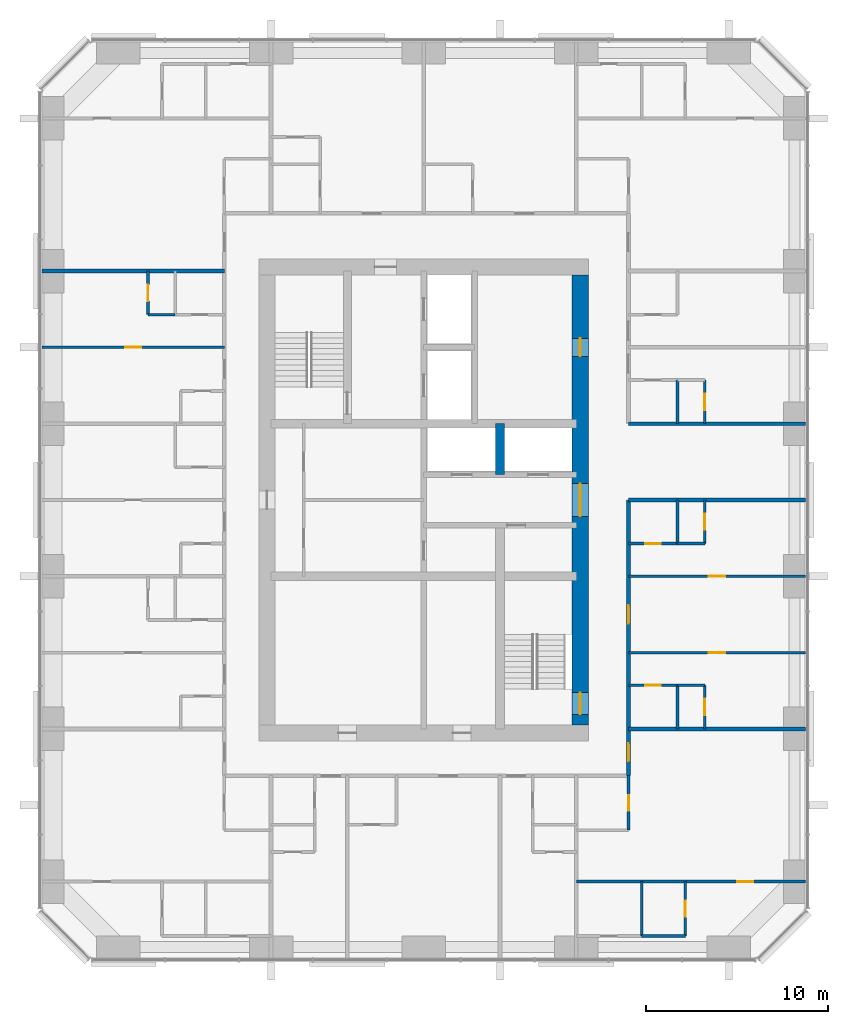
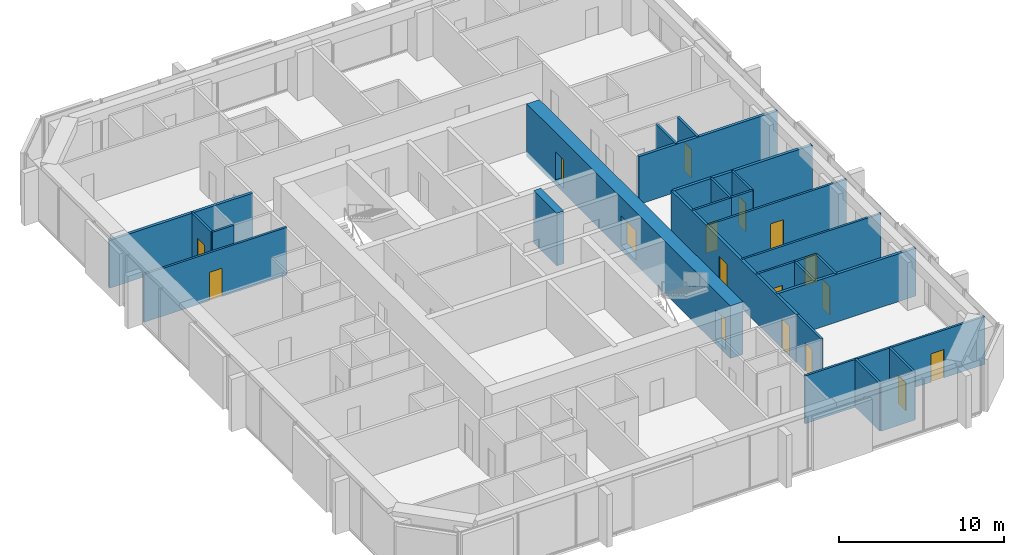
# One storey, part 9 of 12: 27 walls, 17 doors, 17 openings.
"""IFC4 building model written with IfcOpenShell, lengths in metres."""

from ifc_helpers import new_model, si_unit, direction, frame, frame_2d, origin, place, context, subcontext, project, spatial, rectangle, extrude, material, layer, layer_set, type_object, element, fill, save


model = new_model("IFC4")

# Units and contexts
model_context = context("Model", 3, precision=1e-05, world=origin(), true_north=direction((0.0, 1.0)))
body_context = subcontext(model_context, "Body", "Model", "MODEL_VIEW")
ifc_project = project(units=[si_unit("LENGTHUNIT", "METRE"), si_unit("AREAUNIT", "SQUARE_METRE"), si_unit("VOLUMEUNIT", "CUBIC_METRE"), si_unit("PLANEANGLEUNIT", "RADIAN"), si_unit("MASSUNIT", "GRAM", prefix="KILO")], contexts=[model_context])

# Site, building, storey
site_placement = place(None, origin())
site = spatial("IfcSite", under=ifc_project, at=site_placement, CompositionType="ELEMENT")
building_placement = place(site_placement, origin())
building = spatial("IfcBuilding", under=site, at=building_placement, Name="Dunama Terrace Hotel", CompositionType="ELEMENT")
storey_placement = place(building_placement, frame((0.0, 0.0, 233.39990234375)))
storey = spatial("IfcBuildingStorey", under=building, at=storey_placement, Name="L60", CompositionType="ELEMENT", Elevation=233.39990234375)

# Wall, opening, door
ifc_material_1 = material(Name="Gypsum board partition", Category="masonry")
ifc_layer_1 = layer(ifc_material_1, 0.14990234375)
ifc_layer_set_1 = layer_set([ifc_layer_1], Name="Bathroom partition 150")
wall_type_1 = type_object("IfcWallType", Name="Bathroom partition 150", PredefinedType="PARTITIONING", material=ifc_layer_set_1)
wall_1_placement = place(storey_placement, frame((44.875, 11.22509765625, 0.0), z_axis=(0.0, 0.0, 1.0), x_axis=(0.0, 1.0, 0.0)))
wall_1 = element("IfcWall", 1, at=wall_1_placement, inside=storey, type_object=wall_type_1, Name="Bathroom partition 150 L60", PredefinedType="PARTITIONING", context=body_context, shape_type="SweptSolid", body=[
    extrude(rectangle(XDim=3.0, YDim=0.14990234375, at=frame_2d((1.5, 0.0))), origin(), (0.0, 0.0, 1.0), 3.550048828125),
])
opening_1_placement = place(wall_1_placement, frame((1.074951171875, 0.0, 0.0)))
opening_1 = element("IfcOpeningElement", 2, at=opening_1_placement, cuts=wall_1, Name="Opening L60-052", PredefinedType="OPENING", context=body_context, shape_type="SweptSolid", body=[
    extrude(rectangle(XDim=0.85009765625, YDim=2.10009765625, at=frame_2d((0.425048828125, 1.050048828125))), frame((0.0, 0.0849609375, 0.0), z_axis=(0.0, -1.0, 0.0), x_axis=(1.0, 0.0, 0.0)), (0.0, 0.0, 1.0), 0.169921875),
])
ifc_material_2 = material(Name="Timber door with steel frame", Category="steel")
door_type_1 = type_object("IfcDoorType", Name="Bathroom door 850", OperationType="SINGLE_SWING_LEFT", PredefinedType="DOOR", material=ifc_material_2)
door_1_placement = place(opening_1_placement, origin())
door_1 = element("IfcDoor", 3, at=door_1_placement, inside=storey, type_object=door_type_1, Name="Door to powder room L60-052, type D2", OperationType="SINGLE_SWING_RIGHT", OverallHeight=2.10009765625, OverallWidth=0.85009765625, PredefinedType="DOOR", context=body_context, shape_type="SweptSolid", body=[
    extrude(rectangle(XDim=0.85009765625, YDim=2.10009765625, at=frame_2d((0.425048828125, 1.050048828125))), frame((0.0, 0.02490234375, 0.0), z_axis=(0.0, -1.0, 0.0), x_axis=(1.0, 0.0, 0.0)), (0.0, 0.0, 1.0), 0.050048828125),
])
fill(opening_1, door_1)

wall_2_placement = place(storey_placement, frame((44.875, 19.199951171875, 0.0), z_axis=(0.0, 0.0, 1.0), x_axis=(1.0, 0.0, 0.0)))
wall_2 = element("IfcWall", 4, at=wall_2_placement, inside=storey, type_object=wall_type_1, Name="Bathroom partition 150 L60", PredefinedType="PARTITIONING", context=body_context, shape_type="SweptSolid", body=[
    extrude(rectangle(XDim=2.699951171875, YDim=0.14990234375, at=frame_2d((1.35009765625, 0.0))), origin(), (0.0, 0.0, 1.0), 3.550048828125),
])
opening_2_placement = place(wall_2_placement, frame((0.925048828125, 0.0, 0.0)))
opening_2 = element("IfcOpeningElement", 5, at=opening_2_placement, cuts=wall_2, Name="Opening L60-017", PredefinedType="OPENING", context=body_context, shape_type="SweptSolid", body=[
    extrude(rectangle(XDim=0.85009765625, YDim=2.10009765625, at=frame_2d((0.425048828125, 1.050048828125))), frame((0.0, 0.0849609375, 0.0), z_axis=(0.0, -1.0, 0.0), x_axis=(1.0, 0.0, 0.0)), (0.0, 0.0, 1.0), 0.169921875),
])
door_2_placement = place(opening_2_placement, frame((0.85009765625, 0.0, 0.0), z_axis=(0.0, 0.0, 1.0), x_axis=(-1.0, 0.0, 0.0)))
door_2 = element("IfcDoor", 6, at=door_2_placement, inside=storey, type_object=door_type_1, Name="Door to en-suite bathroom L60-017, type D2", OperationType="SINGLE_SWING_RIGHT", OverallHeight=2.10009765625, OverallWidth=0.85009765625, PredefinedType="DOOR", context=body_context, shape_type="SweptSolid", body=[
    extrude(rectangle(XDim=0.85009765625, YDim=2.10009765625, at=frame_2d((0.425048828125, 1.050048828125))), frame((0.0, 0.025146484375, 0.0), z_axis=(0.0, -1.0, 0.0), x_axis=(1.0, 0.0, 0.0)), (0.0, 0.0, 1.0), 0.050048828125),
])
fill(opening_2, door_2)

wall_3_placement = place(storey_placement, frame((44.875, 27.0, 0.0), z_axis=(0.0, 0.0, 1.0), x_axis=(1.0, 0.0, 0.0)))
wall_3 = element("IfcWall", 7, at=wall_3_placement, inside=storey, type_object=wall_type_1, Name="Bathroom partition 150 L60", PredefinedType="PARTITIONING", context=body_context, shape_type="SweptSolid", body=[
    extrude(rectangle(XDim=2.699951171875, YDim=0.14990234375, at=frame_2d((1.35009765625, 0.0))), origin(), (0.0, 0.0, 1.0), 3.550048828125),
])
opening_3_placement = place(wall_3_placement, frame((0.925048828125, 0.0, 0.0)))
opening_3 = element("IfcOpeningElement", 8, at=opening_3_placement, cuts=wall_3, Name="Opening L60-020", PredefinedType="OPENING", context=body_context, shape_type="SweptSolid", body=[
    extrude(rectangle(XDim=0.85009765625, YDim=2.10009765625, at=frame_2d((0.425048828125, 1.050048828125))), frame((0.0, 0.0849609375, 0.0), z_axis=(0.0, -1.0, 0.0), x_axis=(1.0, 0.0, 0.0)), (0.0, 0.0, 1.0), 0.169921875),
])
door_3_placement = place(opening_3_placement, origin())
door_3 = element("IfcDoor", 9, at=door_3_placement, inside=storey, type_object=door_type_1, Name="Door to en-suite bathroom L60-020, type D2", OperationType="SINGLE_SWING_LEFT", OverallHeight=2.10009765625, OverallWidth=0.85009765625, PredefinedType="DOOR", context=body_context, shape_type="SweptSolid", body=[
    extrude(rectangle(XDim=0.85009765625, YDim=2.10009765625, at=frame_2d((0.425048828125, 1.050048828125))), frame((0.0, 0.02490234375, 0.0), z_axis=(0.0, -1.0, 0.0), x_axis=(1.0, 0.0, 0.0)), (0.0, 0.0, 1.0), 0.050048828125),
])
fill(opening_3, door_3)

# Wall
ifc_material_3 = material(Name="Concrete C50/60", Category="concrete")
ifc_layer_2 = layer(ifc_material_3, 0.5)
ifc_layer_set_2 = layer_set([ifc_layer_2], Name="Core inner wall 500")
wall_type_2 = type_object("IfcWallType", Name="Core inner wall 500", PredefinedType="SHEAR", material=ifc_layer_set_2)
wall_4_placement = place(storey_placement, frame((37.800048828125, 30.800048828125, -0.349853515625), z_axis=(0.0, 0.0, 1.0), x_axis=(0.0, 1.0, 0.0)))
element("IfcWall", 10, at=wall_4_placement, inside=storey, type_object=wall_type_2, Name="Core inner wall 500 L60", PredefinedType="SHEAR", context=body_context, shape_type="SweptSolid", body=[
    extrude(rectangle(XDim=2.800048828125, YDim=0.5, at=frame_2d((1.39990234375, 0.0))), origin(), (0.0, 0.0, 1.0), 3.89990234375),
])

# Wall, openings, doors
ifc_material_4 = material(Name="Concrete C60/75", Category="concrete")
ifc_layer_3 = layer(ifc_material_4, 0.89990234375)
ifc_layer_set_3 = layer_set([ifc_layer_3], Name="Core wall 900")
wall_type_3 = type_object("IfcWallType", Name="Core wall 900", PredefinedType="SHEAR", material=ifc_layer_set_3)
wall_5_placement = place(storey_placement, frame((42.22509765625, 17.02490234375, -0.349853515625), z_axis=(0.0, 0.0, 1.0), x_axis=(0.0, 1.0, 0.0)))
wall_5 = element("IfcWall", 11, at=wall_5_placement, inside=storey, type_object=wall_type_3, Name="Core wall east L60", PredefinedType="SHEAR", context=body_context, shape_type="SweptSolid", body=[
    extrude(rectangle(XDim=24.75, YDim=0.89990234375, at=frame_2d((12.375, 0.0))), origin(), (0.0, 0.0, 1.0), 3.89990234375),
])
opening_4_placement = place(wall_5_placement, frame((0.574951171875, 0.0, 0.35009765625)))
opening_4 = element("IfcOpeningElement", 12, at=opening_4_placement, cuts=wall_5, Name="Opening L60-002", PredefinedType="OPENING", context=body_context, shape_type="SweptSolid", body=[
    extrude(rectangle(XDim=1.199951171875, YDim=2.199951171875, at=frame_2d((0.60009765625, 1.10009765625))), frame((0.0, 0.4599609375, 0.0), z_axis=(0.0, -1.0, 0.0), x_axis=(1.0, 0.0, 0.0)), (0.0, 0.0, 1.0), 0.919921875),
])
opening_5_placement = place(wall_5_placement, frame((11.47509765625, 0.0, 0.35009765625)))
opening_5 = element("IfcOpeningElement", 13, at=opening_5_placement, cuts=wall_5, Name="Opening L60-071", PredefinedType="OPENING", context=body_context, shape_type="SweptSolid", body=[
    extrude(rectangle(XDim=1.800048828125, YDim=2.199951171875, at=frame_2d((0.89990234375, 1.10009765625))), frame((0.0, 0.4599609375, 0.0), z_axis=(0.0, -1.0, 0.0), x_axis=(1.0, 0.0, 0.0)), (0.0, 0.0, 1.0), 0.919921875),
])
opening_6_placement = place(wall_5_placement, frame((20.27490234375, 0.0, 0.35009765625)))
opening_6 = element("IfcOpeningElement", 14, at=opening_6_placement, cuts=wall_5, Name="Opening L60-073", PredefinedType="OPENING", context=body_context, shape_type="SweptSolid", body=[
    extrude(rectangle(XDim=1.0, YDim=2.10009765625, at=frame_2d((0.5, 1.050048828125))), frame((0.0, 0.4599609375, 0.0), z_axis=(0.0, -1.0, 0.0), x_axis=(1.0, 0.0, 0.0)), (0.0, 0.0, 1.0), 0.919921875),
])
ifc_material_5 = material(Name="Timber door with steel frame", Category="steel")
door_type_2 = type_object("IfcDoorType", Name="Lift lobby double door 1800", OperationType="DOUBLE_DOOR_DOUBLE_SWING", PredefinedType="DOOR", material=ifc_material_5)
door_4_placement = place(opening_5_placement, origin())
door_4 = element("IfcDoor", 15, at=door_4_placement, inside=storey, type_object=door_type_2, Name="Door to lift lobby L60-071, type D3", OperationType="DOUBLE_DOOR_DOUBLE_SWING", OverallHeight=2.199951171875, OverallWidth=1.800048828125, PredefinedType="DOOR", context=body_context, shape_type="SweptSolid", body=[
    extrude(rectangle(XDim=1.800048828125, YDim=2.199951171875, at=frame_2d((0.89990234375, 1.10009765625))), frame((0.0, 0.02490234375, 0.0), z_axis=(0.0, -1.0, 0.0), x_axis=(1.0, 0.0, 0.0)), (0.0, 0.0, 1.0), 0.050048828125),
])
fill(opening_5, door_4)
ifc_material_6 = material(Name="Timber door with steel frame", Category="steel")
door_type_3 = type_object("IfcDoorType", Name="Service door 1000", OperationType="SINGLE_SWING_LEFT", PredefinedType="DOOR", material=ifc_material_6)
door_5_placement = place(opening_6_placement, origin())
door_5 = element("IfcDoor", 16, at=door_5_placement, inside=storey, type_object=door_type_3, Name="Door to housekeeping store L60-073, type D7", OperationType="SINGLE_SWING_LEFT", OverallHeight=2.10009765625, OverallWidth=1.0, PredefinedType="DOOR", context=body_context, shape_type="SweptSolid", body=[
    extrude(rectangle(XDim=1.0, YDim=2.10009765625, at=frame_2d((0.5, 1.050048828125))), frame((0.0, 0.02490234375, 0.0), z_axis=(0.0, -1.0, 0.0), x_axis=(1.0, 0.0, 0.0)), (0.0, 0.0, 1.0), 0.050048828125),
])
fill(opening_6, door_5)
ifc_material_7 = material(Name="Timber door with steel frame", Category="steel")
door_type_4 = type_object("IfcDoorType", Name="Stair door 1200", OperationType="SINGLE_SWING_LEFT", PredefinedType="DOOR", material=ifc_material_7)
door_6_placement = place(opening_4_placement, origin())
door_6 = element("IfcDoor", 17, at=door_6_placement, inside=storey, type_object=door_type_4, Name="Stair door ST2 L60-002, type D5", OperationType="SINGLE_SWING_LEFT", OverallHeight=2.199951171875, OverallWidth=1.199951171875, PredefinedType="DOOR", context=body_context, shape_type="SweptSolid", body=[
    extrude(rectangle(XDim=1.199951171875, YDim=2.199951171875, at=frame_2d((0.60009765625, 1.10009765625))), frame((0.0, 0.02490234375, 0.0), z_axis=(0.0, -1.0, 0.0), x_axis=(1.0, 0.0, 0.0)), (0.0, 0.0, 1.0), 0.050048828125),
])
fill(opening_4, door_6)

# Wall
ifc_material_8 = material(Name="Concrete blockwork", Category="masonry")
ifc_layer_4 = layer(ifc_material_8, 0.199951171875)
ifc_layer_set_4 = layer_set([ifc_layer_4], Name="Corridor partition 200")
wall_type_4 = type_object("IfcWallType", Name="Corridor partition 200", PredefinedType="PARTITIONING", material=ifc_layer_set_4)
wall_6_placement = place(storey_placement, frame((44.875, 33.60009765625, 0.0), z_axis=(0.0, 0.0, 1.0), x_axis=(1.0, 0.0, 0.0)))
element("IfcWall", 18, at=wall_6_placement, inside=storey, type_object=wall_type_4, Name="Corridor partition 200 L60", PredefinedType="PARTITIONING", context=body_context, shape_type="SweptSolid", body=[
    extrude(rectangle(XDim=9.742919921875, YDim=0.199951171875, at=frame_2d((4.87158203125, 0.0))), origin(), (0.0, 0.0, 1.0), 3.550048828125),
])

# Wall, openings, doors
wall_7_placement = place(storey_placement, frame((44.875, 29.39990234375, 0.0), z_axis=(0.0, 0.0, 1.0), x_axis=(0.0, -1.0, 0.0)))
wall_7 = element("IfcWall", 19, at=wall_7_placement, inside=storey, type_object=wall_type_4, Name="Corridor partition 200 L60", PredefinedType="PARTITIONING", context=body_context, shape_type="SweptSolid", body=[
    extrude(rectangle(XDim=15.1748046875, YDim=0.199951171875, at=frame_2d((7.58740234375, 0.0))), origin(), (0.0, 0.0, 1.0), 3.550048828125),
])
opening_7_placement = place(wall_7_placement, frame((5.800048828125, 0.0, 0.0)))
opening_7 = element("IfcOpeningElement", 20, at=opening_7_placement, cuts=wall_7, Name="Opening L60-015", PredefinedType="OPENING", context=body_context, shape_type="SweptSolid", body=[
    extrude(rectangle(XDim=1.0, YDim=2.199951171875, at=frame_2d((0.5, 1.10009765625))), frame((0.0, 0.10986328125, 0.0), z_axis=(0.0, -1.0, 0.0), x_axis=(1.0, 0.0, 0.0)), (0.0, 0.0, 1.0), 0.219970703125),
])
opening_8_placement = place(wall_7_placement, frame((13.387939453125, 0.0, 0.0)))
opening_8 = element("IfcOpeningElement", 21, at=opening_8_placement, cuts=wall_7, Name="Opening L60-051", PredefinedType="OPENING", context=body_context, shape_type="SweptSolid", body=[
    extrude(rectangle(XDim=1.0, YDim=2.199951171875, at=frame_2d((0.5, 1.10009765625))), frame((0.0, 0.10986328125, 0.0), z_axis=(0.0, -1.0, 0.0), x_axis=(1.0, 0.0, 0.0)), (0.0, 0.0, 1.0), 0.219970703125),
])
ifc_material_9 = material(Name="Timber door with steel frame", Category="steel")
door_type_5 = type_object("IfcDoorType", Name="Guest room door 1000", OperationType="SINGLE_SWING_LEFT", PredefinedType="DOOR", material=ifc_material_9)
door_7_placement = place(opening_7_placement, origin())
door_7 = element("IfcDoor", 22, at=door_7_placement, inside=storey, type_object=door_type_5, Name="Door to two-bedroom suite living room L60-015, type D1", OperationType="SINGLE_SWING_RIGHT", OverallHeight=2.199951171875, OverallWidth=1.0, PredefinedType="DOOR", context=body_context, shape_type="SweptSolid", body=[
    extrude(rectangle(XDim=1.0, YDim=2.199951171875, at=frame_2d((0.5, 1.10009765625))), frame((0.0, 0.02490234375, 0.0), z_axis=(0.0, -1.0, 0.0), x_axis=(1.0, 0.0, 0.0)), (0.0, 0.0, 1.0), 0.050048828125),
])
fill(opening_7, door_7)
door_8_placement = place(opening_8_placement, origin())
door_8 = element("IfcDoor", 23, at=door_8_placement, inside=storey, type_object=door_type_5, Name="Door to grand corner suite living room L60-051, type D1", OperationType="SINGLE_SWING_RIGHT", OverallHeight=2.199951171875, OverallWidth=1.0, PredefinedType="DOOR", context=body_context, shape_type="SweptSolid", body=[
    extrude(rectangle(XDim=1.0, YDim=2.199951171875, at=frame_2d((0.5, 1.10009765625))), frame((0.0, 0.02490234375, 0.0), z_axis=(0.0, -1.0, 0.0), x_axis=(1.0, 0.0, 0.0)), (0.0, 0.0, 1.0), 0.050048828125),
])
fill(opening_8, door_8)

# Walls
wall_8_placement = place(storey_placement, frame((54.617919921875, 29.39990234375, 0.0), z_axis=(0.0, 0.0, 1.0), x_axis=(-1.0, 0.0, 0.0)))
element("IfcWall", 24, at=wall_8_placement, inside=storey, type_object=wall_type_4, Name="Corridor partition 200 L60", PredefinedType="PARTITIONING", context=body_context, shape_type="SweptSolid", body=[
    extrude(rectangle(XDim=9.742919921875, YDim=0.199951171875, at=frame_2d((4.87158203125, 0.0))), origin(), (0.0, 0.0, 1.0), 3.550048828125),
])
ifc_material_10 = material(Name="Concrete blockwork", Category="masonry")
ifc_layer_5 = layer(ifc_material_10, 0.199951171875)
ifc_layer_set_5 = layer_set([ifc_layer_5], Name="Party wall 200")
wall_type_5 = type_object("IfcWallType", Name="Party wall 200", PredefinedType="PARTITIONING", material=ifc_layer_set_5)
wall_9_placement = place(storey_placement, frame((44.875, 16.800048828125, 0.0), z_axis=(0.0, 0.0, 1.0), x_axis=(1.0, 0.0, 0.0)))
element("IfcWall", 25, at=wall_9_placement, inside=storey, type_object=wall_type_5, Name="Party wall 200 L60", PredefinedType="PARTITIONING", context=body_context, shape_type="SweptSolid", body=[
    extrude(rectangle(XDim=9.742919921875, YDim=0.199951171875, at=frame_2d((4.87158203125, 0.0))), origin(), (0.0, 0.0, 1.0), 3.550048828125),
])
wall_10_placement = place(storey_placement, frame((12.58203125, 42.0, 0.0), z_axis=(0.0, 0.0, 1.0), x_axis=(1.0, 0.0, 0.0)))
element("IfcWall", 26, at=wall_10_placement, inside=storey, type_object=wall_type_5, Name="Party wall 200 L60", PredefinedType="PARTITIONING", context=body_context, shape_type="SweptSolid", body=[
    extrude(rectangle(XDim=10.04296875, YDim=0.199951171875, at=frame_2d((5.021484375, 0.0))), origin(), (0.0, 0.0, 1.0), 3.550048828125),
])

# Wall, opening, door
ifc_material_11 = material(Name="Gypsum board partition", Category="masonry")
ifc_layer_6 = layer(ifc_material_11, 0.14990234375)
ifc_layer_set_6 = layer_set([ifc_layer_6], Name="Room partition 150")
wall_type_6 = type_object("IfcWallType", Name="Room partition 150", PredefinedType="PARTITIONING", material=ifc_layer_set_6)
wall_11_placement = place(storey_placement, frame((18.425048828125, 39.60009765625, 0.0), z_axis=(0.0, 0.0, 1.0), x_axis=(0.0, 1.0, 0.0)))
wall_11 = element("IfcWall", 27, at=wall_11_placement, inside=storey, type_object=wall_type_6, Name="Room partition 150 L60", PredefinedType="PARTITIONING", context=body_context, shape_type="SweptSolid", body=[
    extrude(rectangle(XDim=2.39990234375, YDim=0.14990234375, at=frame_2d((1.199951171875, 0.0))), origin(), (0.0, 0.0, 1.0), 3.550048828125),
])
opening_9_placement = place(wall_11_placement, frame((0.75, 0.0, 0.0)))
opening_9 = element("IfcOpeningElement", 28, at=opening_9_placement, cuts=wall_11, Name="Opening L60-045", PredefinedType="OPENING", context=body_context, shape_type="SweptSolid", body=[
    extrude(rectangle(XDim=0.89990234375, YDim=2.10009765625, at=frame_2d((0.449951171875, 1.050048828125))), frame((0.0, 0.0849609375, 0.0), z_axis=(0.0, -1.0, 0.0), x_axis=(1.0, 0.0, 0.0)), (0.0, 0.0, 1.0), 0.169921875),
])
ifc_material_12 = material(Name="Timber door with steel frame", Category="steel")
door_type_6 = type_object("IfcDoorType", Name="Suite internal door 900", OperationType="SINGLE_SWING_LEFT", PredefinedType="DOOR", material=ifc_material_12)
door_9_placement = place(opening_9_placement, frame((0.89990234375, 0.0, 0.0), z_axis=(0.0, 0.0, 1.0), x_axis=(-1.0, 0.0, 0.0)))
door_9 = element("IfcDoor", 29, at=door_9_placement, inside=storey, type_object=door_type_6, Name="Door to walk-in wardrobe L60-045, type D16", OperationType="SINGLE_SWING_RIGHT", OverallHeight=2.10009765625, OverallWidth=0.89990234375, PredefinedType="DOOR", context=body_context, shape_type="SweptSolid", body=[
    extrude(rectangle(XDim=0.89990234375, YDim=2.10009765625, at=frame_2d((0.449951171875, 1.050048828125))), frame((0.0, 0.025146484375, 0.0), z_axis=(0.0, -1.0, 0.0), x_axis=(1.0, 0.0, 0.0)), (0.0, 0.0, 1.0), 0.050048828125),
])
fill(opening_9, door_9)

# Walls
wall_12_placement = place(storey_placement, frame((45.60009765625, 5.39990234375, 0.0), z_axis=(0.0, 0.0, 1.0), x_axis=(0.0, 1.0, 0.0)))
element("IfcWall", 30, at=wall_12_placement, inside=storey, type_object=wall_type_6, Name="Room partition 150 L60", PredefinedType="PARTITIONING", context=body_context, shape_type="SweptSolid", body=[
    extrude(rectangle(XDim=3.0, YDim=0.14990234375, at=frame_2d((1.5, 0.0))), origin(), (0.0, 0.0, 1.0), 3.550048828125),
])
for number, where, z_axis, x_axis, name in (
    (31, (47.574951171875, 16.800048828125, 0.0), (0.0, 0.0, 1.0), (0.0, 1.0, 0.0), "Room partition 150 L60"),
    (32, (47.574951171875, 27.0, 0.0), (0.0, 0.0, 1.0), (0.0, 1.0, 0.0), "Room partition 150 L60"),
    (33, (47.574951171875, 33.60009765625, 0.0), (0.0, 0.0, 1.0), (0.0, 1.0, 0.0), "Room partition 150 L60"),
):
    element("IfcWall", number, at=place(storey_placement, frame(where, z_axis=z_axis, x_axis=x_axis)), inside=storey, type_object=wall_type_6, Name=name, PredefinedType="PARTITIONING", context=body_context, shape_type="SweptSolid", body=[
        extrude(rectangle(XDim=2.39990234375, YDim=0.14990234375, at=frame_2d((1.199951171875, 0.0))), origin(), (0.0, 0.0, 1.0), 3.550048828125),
    ])

# Wall, opening, door
wall_13_placement = place(storey_placement, frame((48.0, 5.39990234375, 0.0), z_axis=(0.0, 0.0, 1.0), x_axis=(0.0, 1.0, 0.0)))
wall_13 = element("IfcWall", 34, at=wall_13_placement, inside=storey, type_object=wall_type_6, Name="Room partition 150 L60", PredefinedType="PARTITIONING", context=body_context, shape_type="SweptSolid", body=[
    extrude(rectangle(XDim=3.0, YDim=0.14990234375, at=frame_2d((1.5, 0.0))), origin(), (0.0, 0.0, 1.0), 3.550048828125),
])
opening_10_placement = place(wall_13_placement, frame((1.050048828125, 0.0, 0.0)))
opening_10 = element("IfcOpeningElement", 35, at=opening_10_placement, cuts=wall_13, Name="Opening L60-055", PredefinedType="OPENING", context=body_context, shape_type="SweptSolid", body=[
    extrude(rectangle(XDim=0.89990234375, YDim=2.10009765625, at=frame_2d((0.449951171875, 1.050048828125))), frame((0.0, 0.0849609375, 0.0), z_axis=(0.0, -1.0, 0.0), x_axis=(1.0, 0.0, 0.0)), (0.0, 0.0, 1.0), 0.169921875),
])
door_10_placement = place(opening_10_placement, origin())
door_10 = element("IfcDoor", 36, at=door_10_placement, inside=storey, type_object=door_type_6, Name="Door to dressing room L60-055, type D16", OperationType="SINGLE_SWING_LEFT", OverallHeight=2.10009765625, OverallWidth=0.89990234375, PredefinedType="DOOR", context=body_context, shape_type="SweptSolid", body=[
    extrude(rectangle(XDim=0.89990234375, YDim=2.10009765625, at=frame_2d((0.449951171875, 1.050048828125))), frame((0.0, 0.02490234375, 0.0), z_axis=(0.0, -1.0, 0.0), x_axis=(1.0, 0.0, 0.0)), (0.0, 0.0, 1.0), 0.050048828125),
])
fill(opening_10, door_10)

wall_14_placement = place(storey_placement, frame((49.074951171875, 16.800048828125, 0.0), z_axis=(0.0, 0.0, 1.0), x_axis=(0.0, 1.0, 0.0)))
wall_14 = element("IfcWall", 37, at=wall_14_placement, inside=storey, type_object=wall_type_6, Name="Room partition 150 L60", PredefinedType="PARTITIONING", context=body_context, shape_type="SweptSolid", body=[
    extrude(rectangle(XDim=2.39990234375, YDim=0.14990234375, at=frame_2d((1.199951171875, 0.0))), origin(), (0.0, 0.0, 1.0), 3.550048828125),
])
opening_11_placement = place(wall_14_placement, frame((0.75, 0.0, 0.0)))
opening_11 = element("IfcOpeningElement", 38, at=opening_11_placement, cuts=wall_14, Name="Opening L60-018", PredefinedType="OPENING", context=body_context, shape_type="SweptSolid", body=[
    extrude(rectangle(XDim=0.89990234375, YDim=2.10009765625, at=frame_2d((0.449951171875, 1.050048828125))), frame((0.0, 0.0849609375, 0.0), z_axis=(0.0, -1.0, 0.0), x_axis=(1.0, 0.0, 0.0)), (0.0, 0.0, 1.0), 0.169921875),
])
door_11_placement = place(opening_11_placement, origin())
door_11 = element("IfcDoor", 39, at=door_11_placement, inside=storey, type_object=door_type_6, Name="Door to walk-in wardrobe L60-018, type D16", OperationType="SINGLE_SWING_LEFT", OverallHeight=2.10009765625, OverallWidth=0.89990234375, PredefinedType="DOOR", context=body_context, shape_type="SweptSolid", body=[
    extrude(rectangle(XDim=0.89990234375, YDim=2.10009765625, at=frame_2d((0.449951171875, 1.050048828125))), frame((0.0, 0.02490234375, 0.0), z_axis=(0.0, -1.0, 0.0), x_axis=(1.0, 0.0, 0.0)), (0.0, 0.0, 1.0), 0.050048828125),
])
fill(opening_11, door_11)

wall_15_placement = place(storey_placement, frame((49.074951171875, 27.0, 0.0), z_axis=(0.0, 0.0, 1.0), x_axis=(0.0, 1.0, 0.0)))
wall_15 = element("IfcWall", 40, at=wall_15_placement, inside=storey, type_object=wall_type_6, Name="Room partition 150 L60", PredefinedType="PARTITIONING", context=body_context, shape_type="SweptSolid", body=[
    extrude(rectangle(XDim=2.39990234375, YDim=0.14990234375, at=frame_2d((1.199951171875, 0.0))), origin(), (0.0, 0.0, 1.0), 3.550048828125),
])
opening_12_placement = place(wall_15_placement, frame((0.75, 0.0, 0.0)))
opening_12 = element("IfcOpeningElement", 41, at=opening_12_placement, cuts=wall_15, Name="Opening L60-021", PredefinedType="OPENING", context=body_context, shape_type="SweptSolid", body=[
    extrude(rectangle(XDim=0.89990234375, YDim=2.10009765625, at=frame_2d((0.449951171875, 1.050048828125))), frame((0.0, 0.0849609375, 0.0), z_axis=(0.0, -1.0, 0.0), x_axis=(1.0, 0.0, 0.0)), (0.0, 0.0, 1.0), 0.169921875),
])
door_12_placement = place(opening_12_placement, origin())
door_12 = element("IfcDoor", 42, at=door_12_placement, inside=storey, type_object=door_type_6, Name="Door to walk-in wardrobe L60-021, type D16", OperationType="SINGLE_SWING_LEFT", OverallHeight=2.10009765625, OverallWidth=0.89990234375, PredefinedType="DOOR", context=body_context, shape_type="SweptSolid", body=[
    extrude(rectangle(XDim=0.89990234375, YDim=2.10009765625, at=frame_2d((0.449951171875, 1.050048828125))), frame((0.0, 0.02490234375, 0.0), z_axis=(0.0, -1.0, 0.0), x_axis=(1.0, 0.0, 0.0)), (0.0, 0.0, 1.0), 0.050048828125),
])
fill(opening_12, door_12)

wall_16_placement = place(storey_placement, frame((49.074951171875, 33.60009765625, 0.0), z_axis=(0.0, 0.0, 1.0), x_axis=(0.0, 1.0, 0.0)))
wall_16 = element("IfcWall", 43, at=wall_16_placement, inside=storey, type_object=wall_type_6, Name="Room partition 150 L60", PredefinedType="PARTITIONING", context=body_context, shape_type="SweptSolid", body=[
    extrude(rectangle(XDim=2.39990234375, YDim=0.14990234375, at=frame_2d((1.199951171875, 0.0))), origin(), (0.0, 0.0, 1.0), 3.550048828125),
])
opening_13_placement = place(wall_16_placement, frame((0.75, 0.0, 0.0)))
opening_13 = element("IfcOpeningElement", 44, at=opening_13_placement, cuts=wall_16, Name="Opening L60-024", PredefinedType="OPENING", context=body_context, shape_type="SweptSolid", body=[
    extrude(rectangle(XDim=0.89990234375, YDim=2.10009765625, at=frame_2d((0.449951171875, 1.050048828125))), frame((0.0, 0.0849609375, 0.0), z_axis=(0.0, -1.0, 0.0), x_axis=(1.0, 0.0, 0.0)), (0.0, 0.0, 1.0), 0.169921875),
])
door_13_placement = place(opening_13_placement, origin())
door_13 = element("IfcDoor", 45, at=door_13_placement, inside=storey, type_object=door_type_6, Name="Door to walk-in wardrobe L60-024, type D16", OperationType="SINGLE_SWING_LEFT", OverallHeight=2.10009765625, OverallWidth=0.89990234375, PredefinedType="DOOR", context=body_context, shape_type="SweptSolid", body=[
    extrude(rectangle(XDim=0.89990234375, YDim=2.10009765625, at=frame_2d((0.449951171875, 1.050048828125))), frame((0.0, 0.02490234375, 0.0), z_axis=(0.0, -1.0, 0.0), x_axis=(1.0, 0.0, 0.0)), (0.0, 0.0, 1.0), 0.050048828125),
])
fill(opening_13, door_13)

# Wall
wall_17_placement = place(storey_placement, frame((45.60009765625, 5.39990234375, 0.0), z_axis=(0.0, 0.0, 1.0), x_axis=(1.0, 0.0, 0.0)))
element("IfcWall", 46, at=wall_17_placement, inside=storey, type_object=wall_type_6, Name="Room partition 150 L60", PredefinedType="PARTITIONING", context=body_context, shape_type="SweptSolid", body=[
    extrude(rectangle(XDim=2.39990234375, YDim=0.14990234375, at=frame_2d((1.199951171875, 0.0))), origin(), (0.0, 0.0, 1.0), 3.550048828125),
])

# Wall, opening, door
wall_18_placement = place(storey_placement, frame((42.0, 8.39990234375, 0.0), z_axis=(0.0, 0.0, 1.0), x_axis=(1.0, 0.0, 0.0)))
wall_18 = element("IfcWall", 47, at=wall_18_placement, inside=storey, type_object=wall_type_6, Name="Room partition 150 L60", PredefinedType="PARTITIONING", context=body_context, shape_type="SweptSolid", body=[
    extrude(rectangle(XDim=12.617919921875, YDim=0.14990234375, at=frame_2d((6.30908203125, 0.0))), origin(), (0.0, 0.0, 1.0), 3.550048828125),
])
opening_14_placement = place(wall_18_placement, frame((8.85009765625, 0.0, 0.0)))
opening_14 = element("IfcOpeningElement", 48, at=opening_14_placement, cuts=wall_18, Name="Opening L60-053", PredefinedType="OPENING", context=body_context, shape_type="SweptSolid", body=[
    extrude(rectangle(XDim=0.89990234375, YDim=2.10009765625, at=frame_2d((0.449951171875, 1.050048828125))), frame((0.0, 0.0849609375, 0.0), z_axis=(0.0, -1.0, 0.0), x_axis=(1.0, 0.0, 0.0)), (0.0, 0.0, 1.0), 0.169921875),
])
door_14_placement = place(opening_14_placement, frame((0.89990234375, 0.0, 0.0), z_axis=(0.0, 0.0, 1.0), x_axis=(-1.0, 0.0, 0.0)))
door_14 = element("IfcDoor", 49, at=door_14_placement, inside=storey, type_object=door_type_6, Name="Door to grand corner suite bedroom L60-053, type D16", OperationType="SINGLE_SWING_LEFT", OverallHeight=2.10009765625, OverallWidth=0.89990234375, PredefinedType="DOOR", context=body_context, shape_type="SweptSolid", body=[
    extrude(rectangle(XDim=0.89990234375, YDim=2.10009765625, at=frame_2d((0.449951171875, 1.050048828125))), frame((0.0, 0.025146484375, 0.0), z_axis=(0.0, -1.0, 0.0), x_axis=(1.0, 0.0, 0.0)), (0.0, 0.0, 1.0), 0.050048828125),
])
fill(opening_14, door_14)

# Wall
wall_19_placement = place(storey_placement, frame((47.574951171875, 19.199951171875, 0.0), z_axis=(0.0, 0.0, 1.0), x_axis=(1.0, 0.0, 0.0)))
element("IfcWall", 50, at=wall_19_placement, inside=storey, type_object=wall_type_6, Name="Room partition 150 L60", PredefinedType="PARTITIONING", context=body_context, shape_type="SweptSolid", body=[
    extrude(rectangle(XDim=1.5, YDim=0.14990234375, at=frame_2d((0.75, 0.0))), origin(), (0.0, 0.0, 1.0), 3.550048828125),
])

# Wall, opening, door
wall_20_placement = place(storey_placement, frame((44.875, 21.0, 0.0), z_axis=(0.0, 0.0, 1.0), x_axis=(1.0, 0.0, 0.0)))
wall_20 = element("IfcWall", 51, at=wall_20_placement, inside=storey, type_object=wall_type_6, Name="Room partition 150 L60", PredefinedType="PARTITIONING", context=body_context, shape_type="SweptSolid", body=[
    extrude(rectangle(XDim=9.742919921875, YDim=0.14990234375, at=frame_2d((4.87158203125, 0.0))), origin(), (0.0, 0.0, 1.0), 3.550048828125),
])
opening_15_placement = place(wall_20_placement, frame((4.412109375, 0.0, 0.0)))
opening_15 = element("IfcOpeningElement", 52, at=opening_15_placement, cuts=wall_20, Name="Opening L60-016", PredefinedType="OPENING", context=body_context, shape_type="SweptSolid", body=[
    extrude(rectangle(XDim=0.89990234375, YDim=2.10009765625, at=frame_2d((0.449951171875, 1.050048828125))), frame((0.0, 0.0849609375, 0.0), z_axis=(0.0, -1.0, 0.0), x_axis=(1.0, 0.0, 0.0)), (0.0, 0.0, 1.0), 0.169921875),
])
door_15_placement = place(opening_15_placement, frame((0.89990234375, 0.0, 0.0), z_axis=(0.0, 0.0, 1.0), x_axis=(-1.0, 0.0, 0.0)))
door_15 = element("IfcDoor", 53, at=door_15_placement, inside=storey, type_object=door_type_6, Name="Door to two-bedroom suite bedroom L60-016, type D16", OperationType="SINGLE_SWING_RIGHT", OverallHeight=2.10009765625, OverallWidth=0.89990234375, PredefinedType="DOOR", context=body_context, shape_type="SweptSolid", body=[
    extrude(rectangle(XDim=0.89990234375, YDim=2.10009765625, at=frame_2d((0.449951171875, 1.050048828125))), frame((0.0, 0.025146484375, 0.0), z_axis=(0.0, -1.0, 0.0), x_axis=(1.0, 0.0, 0.0)), (0.0, 0.0, 1.0), 0.050048828125),
])
fill(opening_15, door_15)

wall_21_placement = place(storey_placement, frame((44.875, 25.199951171875, 0.0), z_axis=(0.0, 0.0, 1.0), x_axis=(1.0, 0.0, 0.0)))
wall_21 = element("IfcWall", 54, at=wall_21_placement, inside=storey, type_object=wall_type_6, Name="Room partition 150 L60", PredefinedType="PARTITIONING", context=body_context, shape_type="SweptSolid", body=[
    extrude(rectangle(XDim=9.742919921875, YDim=0.14990234375, at=frame_2d((4.87158203125, 0.0))), origin(), (0.0, 0.0, 1.0), 3.550048828125),
])
opening_16_placement = place(wall_21_placement, frame((4.412109375, 0.0, 0.0)))
opening_16 = element("IfcOpeningElement", 55, at=opening_16_placement, cuts=wall_21, Name="Opening L60-019", PredefinedType="OPENING", context=body_context, shape_type="SweptSolid", body=[
    extrude(rectangle(XDim=0.89990234375, YDim=2.10009765625, at=frame_2d((0.449951171875, 1.050048828125))), frame((0.0, 0.0849609375, 0.0), z_axis=(0.0, -1.0, 0.0), x_axis=(1.0, 0.0, 0.0)), (0.0, 0.0, 1.0), 0.169921875),
])
door_16_placement = place(opening_16_placement, origin())
door_16 = element("IfcDoor", 56, at=door_16_placement, inside=storey, type_object=door_type_6, Name="Door to two-bedroom suite second bedroom L60-019, type D16", OperationType="SINGLE_SWING_LEFT", OverallHeight=2.10009765625, OverallWidth=0.89990234375, PredefinedType="DOOR", context=body_context, shape_type="SweptSolid", body=[
    extrude(rectangle(XDim=0.89990234375, YDim=2.10009765625, at=frame_2d((0.449951171875, 1.050048828125))), frame((0.0, 0.02490234375, 0.0), z_axis=(0.0, -1.0, 0.0), x_axis=(1.0, 0.0, 0.0)), (0.0, 0.0, 1.0), 0.050048828125),
])
fill(opening_16, door_16)

# Wall
wall_22_placement = place(storey_placement, frame((47.574951171875, 27.0, 0.0), z_axis=(0.0, 0.0, 1.0), x_axis=(1.0, 0.0, 0.0)))
element("IfcWall", 57, at=wall_22_placement, inside=storey, type_object=wall_type_6, Name="Room partition 150 L60", PredefinedType="PARTITIONING", context=body_context, shape_type="SweptSolid", body=[
    extrude(rectangle(XDim=1.5, YDim=0.14990234375, at=frame_2d((0.75, 0.0))), origin(), (0.0, 0.0, 1.0), 3.550048828125),
])

# Wall, opening, door
wall_23_placement = place(storey_placement, frame((12.58203125, 37.800048828125, 0.0), z_axis=(0.0, 0.0, 1.0), x_axis=(1.0, 0.0, 0.0)))
wall_23 = element("IfcWall", 58, at=wall_23_placement, inside=storey, type_object=wall_type_6, Name="Room partition 150 L60", PredefinedType="PARTITIONING", context=body_context, shape_type="SweptSolid", body=[
    extrude(rectangle(XDim=10.04296875, YDim=0.14990234375, at=frame_2d((5.021484375, 0.0))), origin(), (0.0, 0.0, 1.0), 3.550048828125),
])
opening_17_placement = place(wall_23_placement, frame((4.5810546875, 0.0, 0.0)))
opening_17 = element("IfcOpeningElement", 59, at=opening_17_placement, cuts=wall_23, Name="Opening L60-043", PredefinedType="OPENING", context=body_context, shape_type="SweptSolid", body=[
    extrude(rectangle(XDim=0.89990234375, YDim=2.10009765625, at=frame_2d((0.449951171875, 1.050048828125))), frame((0.0, 0.0849609375, 0.0), z_axis=(0.0, -1.0, 0.0), x_axis=(1.0, 0.0, 0.0)), (0.0, 0.0, 1.0), 0.169921875),
])
door_17_placement = place(opening_17_placement, origin())
door_17 = element("IfcDoor", 60, at=door_17_placement, inside=storey, type_object=door_type_6, Name="Door to one-bedroom suite bedroom L60-043, type D16", OperationType="SINGLE_SWING_RIGHT", OverallHeight=2.10009765625, OverallWidth=0.89990234375, PredefinedType="DOOR", context=body_context, shape_type="SweptSolid", body=[
    extrude(rectangle(XDim=0.89990234375, YDim=2.10009765625, at=frame_2d((0.449951171875, 1.050048828125))), frame((0.0, 0.02490234375, 0.0), z_axis=(0.0, -1.0, 0.0), x_axis=(1.0, 0.0, 0.0)), (0.0, 0.0, 1.0), 0.050048828125),
])
fill(opening_17, door_17)

# Wall
wall_24_placement = place(storey_placement, frame((18.425048828125, 39.60009765625, 0.0), z_axis=(0.0, 0.0, 1.0), x_axis=(1.0, 0.0, 0.0)))
element("IfcWall", 61, at=wall_24_placement, inside=storey, type_object=wall_type_6, Name="Room partition 150 L60", PredefinedType="PARTITIONING", context=body_context, shape_type="SweptSolid", body=[
    extrude(rectangle(XDim=1.5, YDim=0.14990234375, at=frame_2d((0.75, 0.0))), origin(), (0.0, 0.0, 1.0), 3.550048828125),
])

save(model, "model.ifc")
